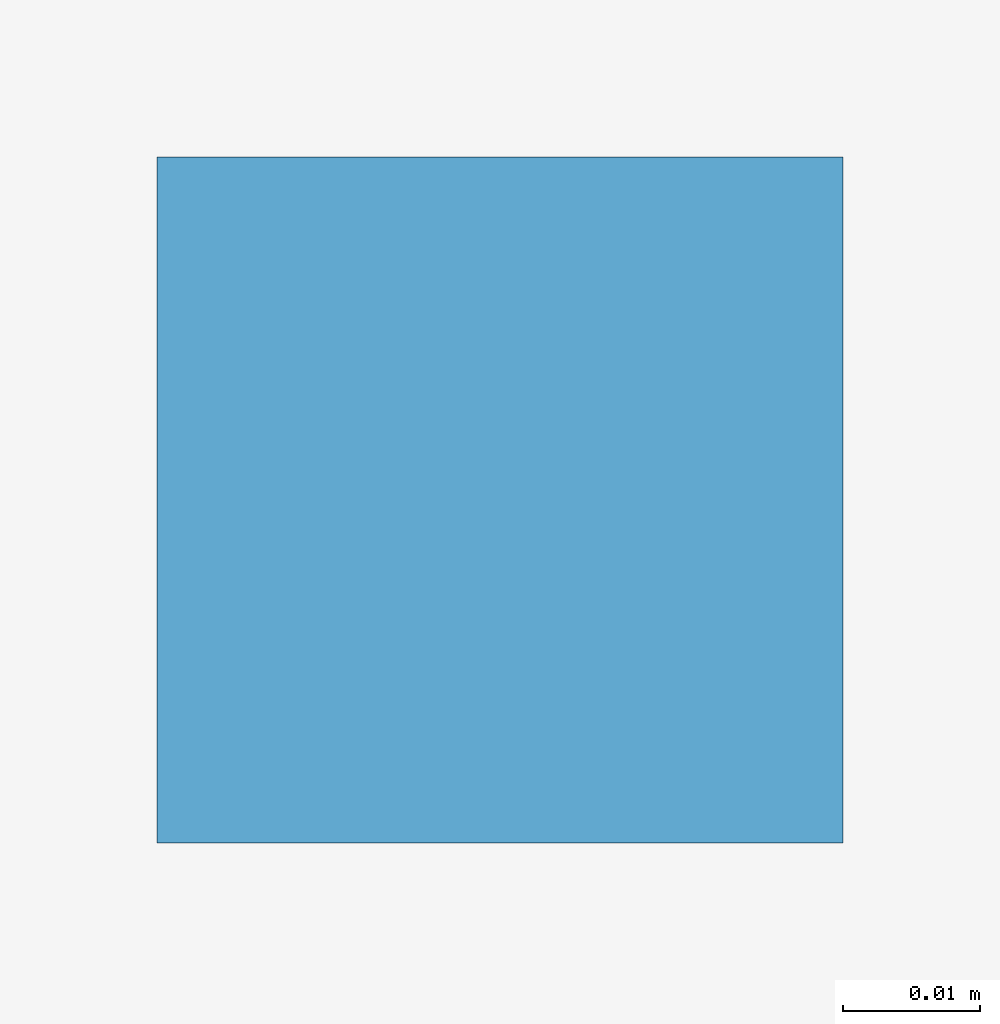
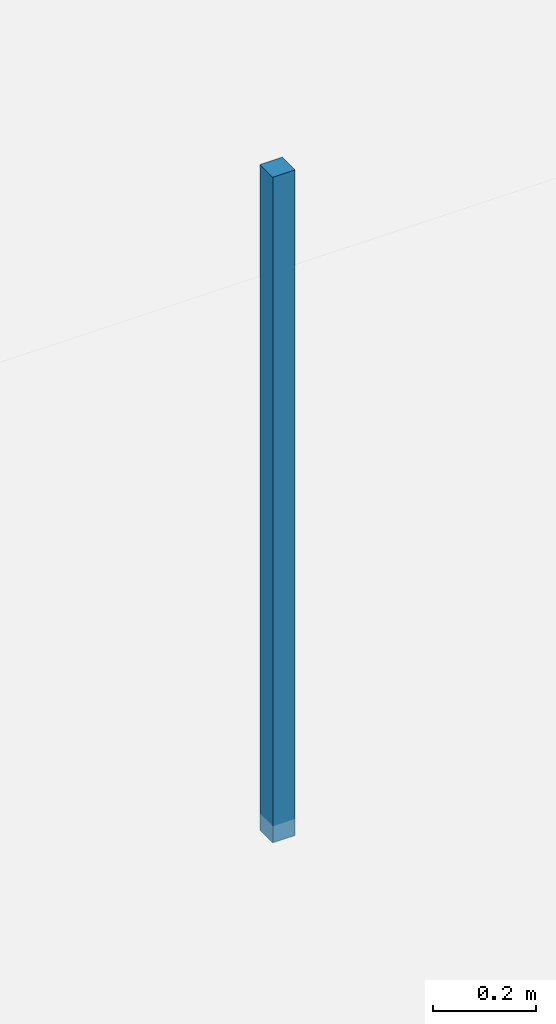
# One storey, part 40 of 54: 1 discrete accessory.
"""IFC4 building model written with IfcOpenShell, lengths in metres."""

from ifc_helpers import new_model, si_unit, direction, frame, origin, origin_2d, place, context, subcontext, project, spatial, rectangle, extrude, material, type_object, element, save


model = new_model("IFC4")

# Units and contexts
model_context = context("Model", 3, precision=1e-05, world=origin(), true_north=direction((0.0, 1.0)))
body_context = subcontext(model_context, "Body", "Model", "MODEL_VIEW")
ifc_project = project(units=[si_unit("LENGTHUNIT", "METRE"), si_unit("AREAUNIT", "SQUARE_METRE"), si_unit("VOLUMEUNIT", "CUBIC_METRE"), si_unit("PLANEANGLEUNIT", "RADIAN"), si_unit("MASSUNIT", "GRAM", prefix="KILO")], contexts=[model_context])

# Site, building, storey
site_placement = place(None, origin())
site = spatial("IfcSite", under=ifc_project, at=site_placement, CompositionType="ELEMENT")
building_placement = place(site_placement, origin())
building = spatial("IfcBuilding", under=site, at=building_placement, Name="Kazehaya Institute of Natural Sciences", CompositionType="ELEMENT")
storey_placement = place(building_placement, frame((0.0, 0.0, 5.39990234375)))
storey = spatial("IfcBuildingStorey", under=building, at=storey_placement, Name="L01", CompositionType="ELEMENT", Elevation=5.39990234375)

# Discrete accessory
ifc_material = material(Name="Structural steel SN490B", Category="steel")
discrete_accessory_type = type_object("IfcDiscreteAccessoryType", Name="ACC-CLG-HGR", PredefinedType="BRACKET", material=ifc_material)
discrete_accessory_placement = place(storey_placement, frame((43.800048828125, 32.0, 3.3828125), z_axis=(0.0, 0.0, 1.0), x_axis=(1.0, 0.0, 0.0)))
element("IfcDiscreteAccessory", 1, at=discrete_accessory_placement, inside=storey, type_object=discrete_accessory_type, Name="L01 ceiling suspension hanger 20", PredefinedType="BRACKET", context=body_context, shape_type="SweptSolid", body=[
    extrude(rectangle(XDim=0.050048828125, YDim=0.050048828125, at=origin_2d()), origin(), (0.0, 0.0, 1.0), 1.577392578125),
])

save(model, "model.ifc")
